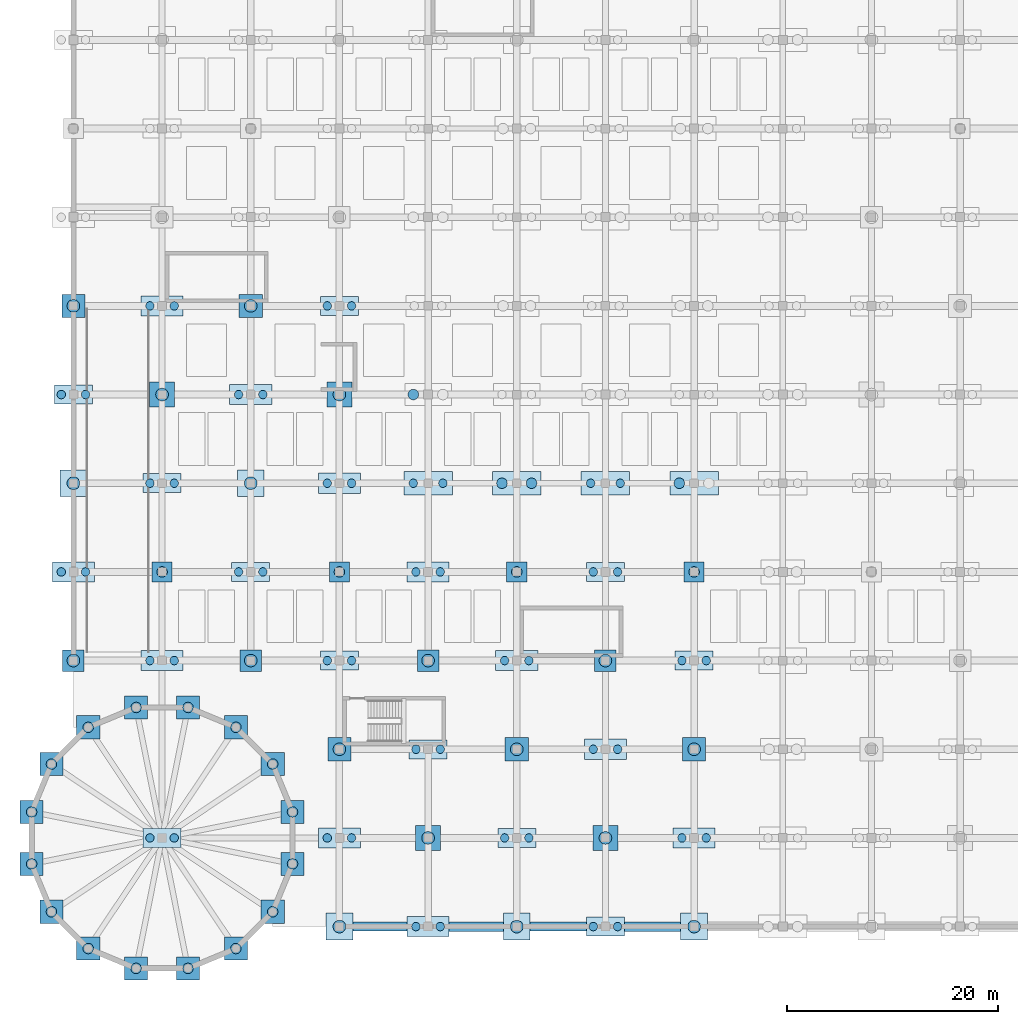
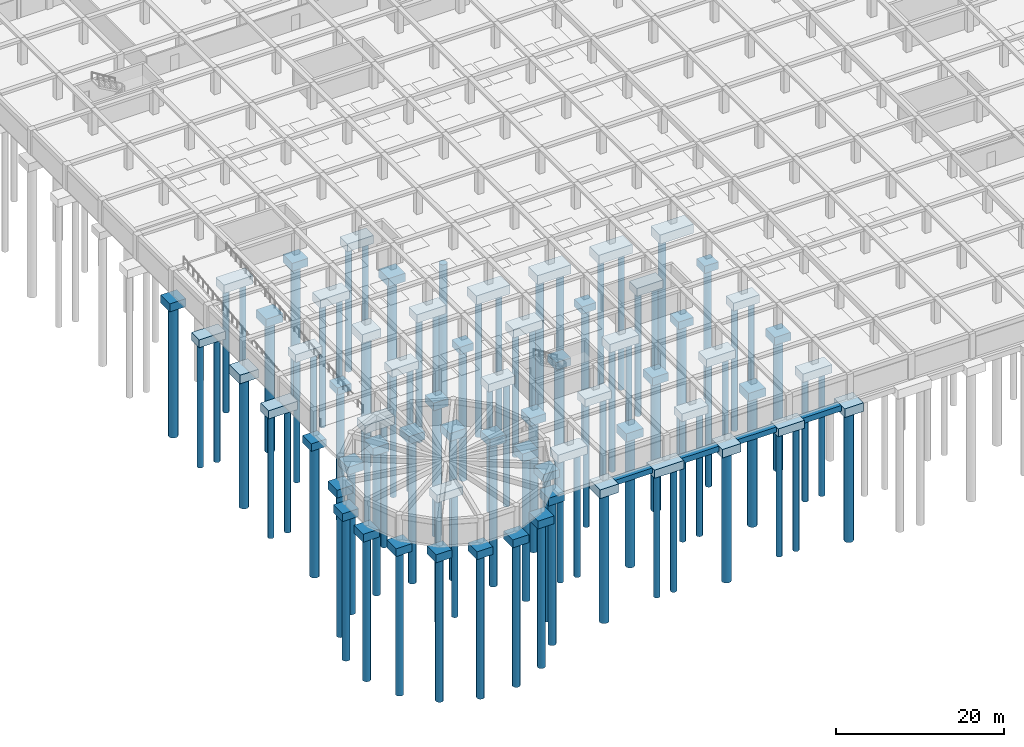
# One storey, part 1 of 47: 90 piles, 68 footings.
"""IFC4 building model written with IfcOpenShell, lengths in metres."""

from ifc_helpers import new_model, si_unit, direction, frame, origin, origin_2d, place, context, subcontext, project, spatial, rectangle, circle, extrude, material, layer, layer_set, material_profile, profile_set, type_object, element, save


model = new_model("IFC4")

# Units and contexts
model_context = context("Model", 3, precision=1e-05, world=origin(), true_north=direction((0.0, 1.0)))
body_context = subcontext(model_context, "Body", "Model", "MODEL_VIEW")
ifc_project = project(units=[si_unit("LENGTHUNIT", "METRE"), si_unit("AREAUNIT", "SQUARE_METRE"), si_unit("VOLUMEUNIT", "CUBIC_METRE"), si_unit("PLANEANGLEUNIT", "RADIAN"), si_unit("MASSUNIT", "GRAM", prefix="KILO")], contexts=[model_context])

# Site, building, storey
site_placement = place(None, origin())
site = spatial("IfcSite", under=ifc_project, at=site_placement, CompositionType="ELEMENT")
building_placement = place(site_placement, origin())
building = spatial("IfcBuilding", under=site, at=building_placement, Name="Almacenes y Pasaje Nevantli", CompositionType="ELEMENT")
storey_placement = place(building_placement, frame((0.0, 0.0, -8.10009765625)))
storey = spatial("IfcBuildingStorey", under=building, at=storey_placement, Name="B02", CompositionType="ELEMENT", Elevation=-8.10009765625)

# Footings
ifc_material_1 = material(Name="Concrete C45/55", Category="concrete")
ifc_layer_1 = layer(ifc_material_1, 1.300048828125)
ifc_layer_set_1 = layer_set([ifc_layer_1], Name="Concrete C45/55")
footing_type_1 = type_object("IfcFootingType", Name="FT-PC-06", PredefinedType="PILE_CAP", material=ifc_layer_set_1)
for number, where, z_axis, x_axis, name in (
    (1, (33.60009765625, 42.0, -1.7998046875), (0.0, 0.0, 1.0), (1.0, 0.0, 0.0), "Reinforced Concrete Pile Cap PC-06 #58"),
    (2, (42.0, 42.0, -1.7998046875), (0.0, 0.0, 1.0), (1.0, 0.0, 0.0), "Reinforced Concrete Pile Cap PC-06 #73"),
    (3, (50.39990234375, 42.0, -1.7998046875), (0.0, 0.0, 1.0), (1.0, 0.0, 0.0), "Reinforced Concrete Pile Cap PC-06 #88"),
    (4, (58.800048828125, 42.0, -1.7998046875), (0.0, 0.0, 1.0), (1.0, 0.0, 0.0), "Reinforced Concrete Pile Cap PC-06 #103"),
):
    element("IfcFooting", number, at=place(storey_placement, frame(where, z_axis=z_axis, x_axis=x_axis)), inside=storey, type_object=footing_type_1, Name=name, PredefinedType="PILE_CAP", context=body_context, shape_type="SweptSolid", body=[
        extrude(rectangle(XDim=4.60009765625, YDim=2.199951171875, at=origin_2d()), origin(), (0.0, 0.0, 1.0), 1.300048828125),
    ])
ifc_material_2 = material(Name="Concrete C45/55", Category="concrete")
ifc_layer_2 = layer(ifc_material_2, 1.199951171875)
ifc_layer_set_2 = layer_set([ifc_layer_2], Name="Concrete C45/55")
footing_type_2 = type_object("IfcFootingType", Name="FT-PC-09", PredefinedType="PILE_CAP", material=ifc_layer_set_2)
for number, where, z_axis, x_axis, name in (
    (5, (0.0, 33.60009765625, -1.69970703125), (0.0, 0.0, 1.0), (1.0, 0.0, 0.0), "Reinforced Concrete Pile Cap PC-09 #2"),
    (6, (8.39990234375, 25.199951171875, -1.69970703125), (0.0, 0.0, 1.0), (1.0, 0.0, 0.0), "Reinforced Concrete Pile Cap PC-09 #14"),
    (7, (8.39990234375, 58.800048828125, -1.69970703125), (0.0, 0.0, 1.0), (1.0, 0.0, 0.0), "Reinforced Concrete Pile Cap PC-09 #18"),
    (8, (16.800048828125, 50.39990234375, -1.69970703125), (0.0, 0.0, 1.0), (1.0, 0.0, 0.0), "Reinforced Concrete Pile Cap PC-09 #29"),
    (9, (25.199951171875, 8.39990234375, -1.69970703125), (0.0, 0.0, 1.0), (1.0, 0.0, 0.0), "Reinforced Concrete Pile Cap PC-09 #39"),
    (10, (25.199951171875, 42.0, -1.69970703125), (0.0, 0.0, 1.0), (1.0, 0.0, 0.0), "Reinforced Concrete Pile Cap PC-09 #43"),
    (11, (33.60009765625, 0.0, -1.69970703125), (0.0, 0.0, 1.0), (1.0, 0.0, 0.0), "Reinforced Concrete Pile Cap PC-09 #53"),
    (12, (33.60009765625, 33.60009765625, -1.69970703125), (0.0, 0.0, 1.0), (1.0, 0.0, 0.0), "Reinforced Concrete Pile Cap PC-09 #57"),
    (13, (42.0, 25.199951171875, -1.69970703125), (0.0, 0.0, 1.0), (1.0, 0.0, 0.0), "Reinforced Concrete Pile Cap PC-09 #71"),
    (14, (50.39990234375, 16.800048828125, -1.69970703125), (0.0, 0.0, 1.0), (1.0, 0.0, 0.0), "Reinforced Concrete Pile Cap PC-09 #85"),
    (15, (58.800048828125, 8.39990234375, -1.69970703125), (0.0, 0.0, 1.0), (1.0, 0.0, 0.0), "Reinforced Concrete Pile Cap PC-09 #99"),
):
    element("IfcFooting", number, at=place(storey_placement, frame(where, z_axis=z_axis, x_axis=x_axis)), inside=storey, type_object=footing_type_2, Name=name, PredefinedType="PILE_CAP", context=body_context, shape_type="SweptSolid", body=[
        extrude(rectangle(XDim=4.0, YDim=1.89990234375, at=origin_2d()), origin(), (0.0, 0.0, 1.0), 1.199951171875),
    ])
ifc_material_3 = material(Name="Concrete C45/55", Category="concrete")
ifc_layer_3 = layer(ifc_material_3, 1.14990234375)
ifc_layer_set_3 = layer_set([ifc_layer_3], Name="Concrete C45/55")
footing_type_3 = type_object("IfcFootingType", Name="FT-PC-11", PredefinedType="PILE_CAP", material=ifc_layer_set_3)
for number, where, z_axis, x_axis, name in (
    (16, (0.0, 50.39990234375, -1.64990234375), (0.0, 0.0, 1.0), (1.0, 0.0, 0.0), "Reinforced Concrete Pile Cap PC-11 #4"),
    (17, (8.39990234375, 8.39990234375, -1.64990234375), (0.0, 0.0, 1.0), (1.0, 0.0, 0.0), "Reinforced Concrete Pile Cap PC-11 #13"),
    (18, (8.39990234375, 42.0, -1.64990234375), (0.0, 0.0, 1.0), (1.0, 0.0, 0.0), "Reinforced Concrete Pile Cap PC-11 #16"),
    (19, (16.800048828125, 33.60009765625, -1.64990234375), (0.0, 0.0, 1.0), (1.0, 0.0, 0.0), "Reinforced Concrete Pile Cap PC-11 #27"),
    (20, (25.199951171875, 25.199951171875, -1.64990234375), (0.0, 0.0, 1.0), (1.0, 0.0, 0.0), "Reinforced Concrete Pile Cap PC-11 #41"),
    (21, (25.199951171875, 58.800048828125, -1.64990234375), (0.0, 0.0, 1.0), (1.0, 0.0, 0.0), "Reinforced Concrete Pile Cap PC-11 #45"),
    (22, (33.60009765625, 16.800048828125, -1.64990234375), (0.0, 0.0, 1.0), (1.0, 0.0, 0.0), "Reinforced Concrete Pile Cap PC-11 #55"),
    (23, (42.0, 8.39990234375, -1.64990234375), (0.0, 0.0, 1.0), (1.0, 0.0, 0.0), "Reinforced Concrete Pile Cap PC-11 #69"),
    (24, (50.39990234375, 0.0, -1.64990234375), (0.0, 0.0, 1.0), (1.0, 0.0, 0.0), "Reinforced Concrete Pile Cap PC-11 #83"),
    (25, (50.39990234375, 33.60009765625, -1.64990234375), (0.0, 0.0, 1.0), (1.0, 0.0, 0.0), "Reinforced Concrete Pile Cap PC-11 #87"),
    (26, (58.800048828125, 25.199951171875, -1.64990234375), (0.0, 0.0, 1.0), (1.0, 0.0, 0.0), "Reinforced Concrete Pile Cap PC-11 #101"),
):
    element("IfcFooting", number, at=place(storey_placement, frame(where, z_axis=z_axis, x_axis=x_axis)), inside=storey, type_object=footing_type_3, Name=name, PredefinedType="PILE_CAP", context=body_context, shape_type="SweptSolid", body=[
        extrude(rectangle(XDim=3.60009765625, YDim=1.800048828125, at=origin_2d()), origin(), (0.0, 0.0, 1.0), 1.14990234375),
    ])
ifc_material_4 = material(Name="Concrete C45/55", Category="concrete")
ifc_layer_4 = layer(ifc_material_4, 1.25)
ifc_layer_set_4 = layer_set([ifc_layer_4], Name="Concrete C45/55")
footing_type_4 = type_object("IfcFootingType", Name="FT-PC-15", PredefinedType="PILE_CAP", material=ifc_layer_set_4)
for number, where, z_axis, x_axis, name in (
    (27, (0.0, 42.0, -1.75), (0.0, 0.0, 1.0), (1.0, 0.0, 0.0), "Reinforced Concrete Pile Cap PC-15 #3"),
    (28, (16.800048828125, 42.0, -1.75), (0.0, 0.0, 1.0), (1.0, 0.0, 0.0), "Reinforced Concrete Pile Cap PC-15 #28"),
    (29, (25.199951171875, 0.0, -1.75), (0.0, 0.0, 1.0), (1.0, 0.0, 0.0), "Reinforced Concrete Pile Cap PC-15 #38"),
    (30, (42.0, 0.0, -1.75), (0.0, 0.0, 1.0), (1.0, 0.0, 0.0), "Reinforced Concrete Pile Cap PC-15 #68"),
    (31, (58.800048828125, 0.0, -1.75), (0.0, 0.0, 1.0), (1.0, 0.0, 0.0), "Reinforced Concrete Pile Cap PC-15 #98"),
):
    element("IfcFooting", number, at=place(storey_placement, frame(where, z_axis=z_axis, x_axis=x_axis)), inside=storey, type_object=footing_type_4, Name=name, PredefinedType="PILE_CAP", context=body_context, shape_type="SweptSolid", body=[
        extrude(rectangle(XDim=2.550048828125, YDim=2.550048828125, at=origin_2d()), origin(), (0.0, 0.0, 1.0), 1.25),
    ])
ifc_material_5 = material(Name="Concrete C45/55", Category="concrete")
ifc_layer_5 = layer(ifc_material_5, 1.199951171875)
ifc_layer_set_5 = layer_set([ifc_layer_5], Name="Concrete C45/55")
footing_type_5 = type_object("IfcFootingType", Name="FT-PC-16", PredefinedType="PILE_CAP", material=ifc_layer_set_5)
for number, where, z_axis, x_axis, name in (
    (32, (8.39990234375, 50.39990234375, -1.69970703125), (0.0, 0.0, 1.0), (1.0, 0.0, 0.0), "Reinforced Concrete Pile Cap PC-16 #17"),
    (33, (25.199951171875, 50.39990234375, -1.69970703125), (0.0, 0.0, 1.0), (1.0, 0.0, 0.0), "Reinforced Concrete Pile Cap PC-16 #44"),
    (34, (33.60009765625, 8.39990234375, -1.69970703125), (0.0, 0.0, 1.0), (1.0, 0.0, 0.0), "Reinforced Concrete Pile Cap PC-16 #54"),
    (35, (50.39990234375, 8.39990234375, -1.69970703125), (0.0, 0.0, 1.0), (1.0, 0.0, 0.0), "Reinforced Concrete Pile Cap PC-16 #84"),
):
    element("IfcFooting", number, at=place(storey_placement, frame(where, z_axis=z_axis, x_axis=x_axis)), inside=storey, type_object=footing_type_5, Name=name, PredefinedType="PILE_CAP", context=body_context, shape_type="SweptSolid", body=[
        extrude(rectangle(XDim=2.35009765625, YDim=2.35009765625, at=origin_2d()), origin(), (0.0, 0.0, 1.0), 1.199951171875),
    ])
ifc_material_6 = material(Name="Concrete C45/55", Category="concrete")
ifc_layer_6 = layer(ifc_material_6, 1.14990234375)
ifc_layer_set_6 = layer_set([ifc_layer_6], Name="Concrete C45/55")
footing_type_6 = type_object("IfcFootingType", Name="FT-PC-17", PredefinedType="PILE_CAP", material=ifc_layer_set_6)
for number, where, z_axis, x_axis, name in (
    (36, (0.0, 58.800048828125, -1.64990234375), (0.0, 0.0, 1.0), (1.0, 0.0, 0.0), "Reinforced Concrete Pile Cap PC-17 #5"),
    (37, (16.800048828125, 58.800048828125, -1.64990234375), (0.0, 0.0, 1.0), (1.0, 0.0, 0.0), "Reinforced Concrete Pile Cap PC-17 #30"),
    (38, (25.199951171875, 16.800048828125, -1.64990234375), (0.0, 0.0, 1.0), (1.0, 0.0, 0.0), "Reinforced Concrete Pile Cap PC-17 #40"),
    (39, (42.0, 16.800048828125, -1.64990234375), (0.0, 0.0, 1.0), (1.0, 0.0, 0.0), "Reinforced Concrete Pile Cap PC-17 #70"),
    (40, (58.800048828125, 16.800048828125, -1.64990234375), (0.0, 0.0, 1.0), (1.0, 0.0, 0.0), "Reinforced Concrete Pile Cap PC-17 #100"),
    (41, (20.7578125, 10.858154296875, -1.64990234375), (0.0, 0.0, 1.0), (1.0, 0.0, 0.0), "Reinforced Concrete Pile Cap PC-17 #308"),
    (42, (18.87646484375, 15.400146484375, -1.64990234375), (0.0, 0.0, 1.0), (1.0, 0.0, 0.0), "Reinforced Concrete Pile Cap PC-17 #309"),
    (43, (15.400146484375, 18.87646484375, -1.64990234375), (0.0, 0.0, 1.0), (1.0, 0.0, 0.0), "Reinforced Concrete Pile Cap PC-17 #310"),
    (44, (10.858154296875, 20.7578125, -1.64990234375), (0.0, 0.0, 1.0), (1.0, 0.0, 0.0), "Reinforced Concrete Pile Cap PC-17 #311"),
    (45, (5.94189453125, 20.7578125, -1.64990234375), (0.0, 0.0, 1.0), (1.0, 0.0, 0.0), "Reinforced Concrete Pile Cap PC-17 #312"),
    (46, (1.39990234375, 18.87646484375, -1.64990234375), (0.0, 0.0, 1.0), (1.0, 0.0, 0.0), "Reinforced Concrete Pile Cap PC-17 #313"),
    (47, (-2.076416015625, 15.400146484375, -1.64990234375), (0.0, 0.0, 1.0), (1.0, 0.0, 0.0), "Reinforced Concrete Pile Cap PC-17 #314"),
    (48, (-3.9580078125, 10.858154296875, -1.64990234375), (0.0, 0.0, 1.0), (1.0, 0.0, 0.0), "Reinforced Concrete Pile Cap PC-17 #315"),
    (49, (-3.9580078125, 5.94189453125, -1.64990234375), (0.0, 0.0, 1.0), (1.0, 0.0, 0.0), "Reinforced Concrete Pile Cap PC-17 #316"),
    (50, (-2.076416015625, 1.39990234375, -1.64990234375), (0.0, 0.0, 1.0), (1.0, 0.0, 0.0), "Reinforced Concrete Pile Cap PC-17 #317"),
    (51, (1.39990234375, -2.076416015625, -1.64990234375), (0.0, 0.0, 1.0), (1.0, 0.0, 0.0), "Reinforced Concrete Pile Cap PC-17 #318"),
    (52, (5.94189453125, -3.9580078125, -1.64990234375), (0.0, 0.0, 1.0), (1.0, 0.0, 0.0), "Reinforced Concrete Pile Cap PC-17 #319"),
    (53, (10.858154296875, -3.9580078125, -1.64990234375), (0.0, 0.0, 1.0), (1.0, 0.0, 0.0), "Reinforced Concrete Pile Cap PC-17 #320"),
    (54, (15.400146484375, -2.076416015625, -1.64990234375), (0.0, 0.0, 1.0), (1.0, 0.0, 0.0), "Reinforced Concrete Pile Cap PC-17 #321"),
    (55, (18.87646484375, 1.39990234375, -1.64990234375), (0.0, 0.0, 1.0), (1.0, 0.0, 0.0), "Reinforced Concrete Pile Cap PC-17 #322"),
    (56, (20.7578125, 5.94189453125, -1.64990234375), (0.0, 0.0, 1.0), (1.0, 0.0, 0.0), "Reinforced Concrete Pile Cap PC-17 #323"),
):
    element("IfcFooting", number, at=place(storey_placement, frame(where, z_axis=z_axis, x_axis=x_axis)), inside=storey, type_object=footing_type_6, Name=name, PredefinedType="PILE_CAP", context=body_context, shape_type="SweptSolid", body=[
        extrude(rectangle(XDim=2.199951171875, YDim=2.199951171875, at=origin_2d()), origin(), (0.0, 0.0, 1.0), 1.14990234375),
    ])
ifc_material_7 = material(Name="Concrete C45/55", Category="concrete")
ifc_layer_7 = layer(ifc_material_7, 1.10009765625)
ifc_layer_set_7 = layer_set([ifc_layer_7], Name="Concrete C45/55")
footing_type_7 = type_object("IfcFootingType", Name="FT-PC-18", PredefinedType="PILE_CAP", material=ifc_layer_set_7)
for number, where, z_axis, x_axis, name in (
    (57, (0.0, 25.199951171875, -1.599853515625), (0.0, 0.0, 1.0), (1.0, 0.0, 0.0), "Reinforced Concrete Pile Cap PC-18 #1"),
    (58, (16.800048828125, 25.199951171875, -1.599853515625), (0.0, 0.0, 1.0), (1.0, 0.0, 0.0), "Reinforced Concrete Pile Cap PC-18 #26"),
    (59, (33.60009765625, 25.199951171875, -1.599853515625), (0.0, 0.0, 1.0), (1.0, 0.0, 0.0), "Reinforced Concrete Pile Cap PC-18 #56"),
    (60, (50.39990234375, 25.199951171875, -1.599853515625), (0.0, 0.0, 1.0), (1.0, 0.0, 0.0), "Reinforced Concrete Pile Cap PC-18 #86"),
):
    element("IfcFooting", number, at=place(storey_placement, frame(where, z_axis=z_axis, x_axis=x_axis)), inside=storey, type_object=footing_type_7, Name=name, PredefinedType="PILE_CAP", context=body_context, shape_type="SweptSolid", body=[
        extrude(rectangle(XDim=2.050048828125, YDim=2.050048828125, at=origin_2d()), origin(), (0.0, 0.0, 1.0), 1.10009765625),
    ])
ifc_material_8 = material(Name="Concrete C45/55", Category="concrete")
ifc_layer_8 = layer(ifc_material_8, 1.050048828125)
ifc_layer_set_8 = layer_set([ifc_layer_8], Name="Concrete C45/55")
footing_type_8 = type_object("IfcFootingType", Name="FT-PC-19", PredefinedType="PILE_CAP", material=ifc_layer_set_8)
for number, where, z_axis, x_axis, name in (
    (61, (8.39990234375, 33.60009765625, -1.5498046875), (0.0, 0.0, 1.0), (1.0, 0.0, 0.0), "Reinforced Concrete Pile Cap PC-19 #15"),
    (62, (25.199951171875, 33.60009765625, -1.5498046875), (0.0, 0.0, 1.0), (1.0, 0.0, 0.0), "Reinforced Concrete Pile Cap PC-19 #42"),
    (63, (42.0, 33.60009765625, -1.5498046875), (0.0, 0.0, 1.0), (1.0, 0.0, 0.0), "Reinforced Concrete Pile Cap PC-19 #72"),
    (64, (58.800048828125, 33.60009765625, -1.5498046875), (0.0, 0.0, 1.0), (1.0, 0.0, 0.0), "Reinforced Concrete Pile Cap PC-19 #102"),
):
    element("IfcFooting", number, at=place(storey_placement, frame(where, z_axis=z_axis, x_axis=x_axis)), inside=storey, type_object=footing_type_8, Name=name, PredefinedType="PILE_CAP", context=body_context, shape_type="SweptSolid", body=[
        extrude(rectangle(XDim=1.89990234375, YDim=1.89990234375, at=origin_2d()), origin(), (0.0, 0.0, 1.0), 1.050048828125),
    ])
ifc_material_9 = material(Name="Concrete C45/55", Category="concrete")
ifc_layer_9 = layer(ifc_material_9, 0.800048828125)
ifc_layer_set_9 = layer_set([ifc_layer_9], Name="Concrete C45/55")
footing_type_9 = type_object("IfcFootingType", Name="FT-SF-01", PredefinedType="STRIP_FOOTING", material=ifc_layer_set_9)
footing_1_placement = place(storey_placement, frame((38.16259765625, 0.0, -1.2998046875), z_axis=(0.0, 0.0, 1.0), x_axis=(1.0, 0.0, 0.0)))
element("IfcFooting", 65, at=footing_1_placement, inside=storey, type_object=footing_type_9, Name="Continuous Perimeter Strip Footing #21", PredefinedType="STRIP_FOOTING", context=body_context, shape_type="SweptSolid", body=[
    extrude(rectangle(XDim=5.125, YDim=0.89990234375, at=origin_2d()), origin(), (0.0, 0.0, 1.0), 0.800048828125),
])
footing_2_placement = place(storey_placement, frame((54.862548828125, 0.0, -1.2998046875), z_axis=(0.0, 0.0, 1.0), x_axis=(1.0, 0.0, 0.0)))
element("IfcFooting", 66, at=footing_2_placement, inside=storey, type_object=footing_type_9, Name="Continuous Perimeter Strip Footing #23", PredefinedType="STRIP_FOOTING", context=body_context, shape_type="SweptSolid", body=[
    extrude(rectangle(XDim=5.324951171875, YDim=0.89990234375, at=origin_2d()), origin(), (0.0, 0.0, 1.0), 0.800048828125),
])
ifc_material_10 = material(Name="Concrete C45/55", Category="concrete")
ifc_layer_10 = layer(ifc_material_10, 0.75)
ifc_layer_set_10 = layer_set([ifc_layer_10], Name="Concrete C45/55")
footing_type_10 = type_object("IfcFootingType", Name="FT-SF-02", PredefinedType="STRIP_FOOTING", material=ifc_layer_set_10)
footing_3_placement = place(storey_placement, frame((29.03759765625, 0.0, -1.25), z_axis=(0.0, 0.0, 1.0), x_axis=(1.0, 0.0, 0.0)))
element("IfcFooting", 67, at=footing_3_placement, inside=storey, type_object=footing_type_10, Name="Continuous Perimeter Strip Footing #20", PredefinedType="STRIP_FOOTING", context=body_context, shape_type="SweptSolid", body=[
    extrude(rectangle(XDim=5.125, YDim=0.85009765625, at=origin_2d()), origin(), (0.0, 0.0, 1.0), 0.75),
])
footing_4_placement = place(storey_placement, frame((45.9375, 0.0, -1.25), z_axis=(0.0, 0.0, 1.0), x_axis=(1.0, 0.0, 0.0)))
element("IfcFooting", 68, at=footing_4_placement, inside=storey, type_object=footing_type_10, Name="Continuous Perimeter Strip Footing #22", PredefinedType="STRIP_FOOTING", context=body_context, shape_type="SweptSolid", body=[
    extrude(rectangle(XDim=5.324951171875, YDim=0.85009765625, at=origin_2d()), origin(), (0.0, 0.0, 1.0), 0.75),
])

# Piles
ifc_material_11 = material(Name="Concrete C45/55", Category="concrete")
ifc_material_profile_1 = material_profile(ifc_material_11, circle(Radius=0.5, at=origin_2d()), Name="RC-PILE-D1000")
ifc_profile_set_1 = profile_set([ifc_material_profile_1], Name="Concrete C45/55")
pile_type_1 = type_object("IfcPileType", Name="PL-BORED-1000", PredefinedType="BORED", material=ifc_profile_set_1)
for number, where, z_axis, x_axis, name in (
    (69, (8.39990234375, 33.60009765625, -1.5), (0.0, 0.0, -1.0), (1.0, 0.0, 0.0), "Bored Pile PL-1000 #23"),
    (70, (25.199951171875, 33.60009765625, -1.5), (0.0, 0.0, -1.0), (1.0, 0.0, 0.0), "Bored Pile PL-1000 #63"),
):
    element("IfcPile", number, at=place(storey_placement, frame(where, z_axis=z_axis, x_axis=x_axis)), inside=storey, type_object=pile_type_1, Name=name, PredefinedType="BORED", context=body_context, shape_type="SweptSolid", body=[
        extrude(circle(Radius=0.5, at=origin_2d()), origin(), (0.0, 0.0, 1.0), 19.0),
    ])
pile_1_placement = place(storey_placement, frame((32.199951171875, 50.39990234375, -1.699951171875), z_axis=(0.0, 0.0, -1.0), x_axis=(1.0, 0.0, 0.0)))
element("IfcPile", 71, at=pile_1_placement, inside=storey, type_object=pile_type_1, Name="Bored Pile PL-1000 #89", PredefinedType="BORED", context=body_context, shape_type="SweptSolid", body=[
    extrude(circle(Radius=0.5, at=origin_2d()), origin(), (0.0, 0.0, 1.0), 20.0),
])
pile_2_placement = place(storey_placement, frame((42.0, 33.60009765625, -1.5), z_axis=(0.0, 0.0, -1.0), x_axis=(1.0, 0.0, 0.0)))
element("IfcPile", 72, at=pile_2_placement, inside=storey, type_object=pile_type_1, Name="Bored Pile PL-1000 #111", PredefinedType="BORED", context=body_context, shape_type="SweptSolid", body=[
    extrude(circle(Radius=0.5, at=origin_2d()), origin(), (0.0, 0.0, 1.0), 19.0),
])
for number, where, z_axis, x_axis, name in (
    (73, (40.60009765625, 42.0, -1.75), (0.0, 0.0, -1.0), (1.0, 0.0, 0.0), "Bored Pile PL-1000 #112"),
    (74, (43.39990234375, 42.0, -1.75), (0.0, 0.0, -1.0), (1.0, 0.0, 0.0), "Bored Pile PL-1000 #113"),
):
    element("IfcPile", number, at=place(storey_placement, frame(where, z_axis=z_axis, x_axis=x_axis)), inside=storey, type_object=pile_type_1, Name=name, PredefinedType="BORED", context=body_context, shape_type="SweptSolid", body=[
        extrude(circle(Radius=0.5, at=origin_2d()), origin(), (0.0, 0.0, 1.0), 20.0),
    ])
pile_3_placement = place(storey_placement, frame((58.800048828125, 33.60009765625, -1.5), z_axis=(0.0, 0.0, -1.0), x_axis=(1.0, 0.0, 0.0)))
element("IfcPile", 75, at=pile_3_placement, inside=storey, type_object=pile_type_1, Name="Bored Pile PL-1000 #161", PredefinedType="BORED", context=body_context, shape_type="SweptSolid", body=[
    extrude(circle(Radius=0.5, at=origin_2d()), origin(), (0.0, 0.0, 1.0), 19.0),
])
pile_4_placement = place(storey_placement, frame((57.39990234375, 42.0, -1.75), z_axis=(0.0, 0.0, -1.0), x_axis=(1.0, 0.0, 0.0)))
element("IfcPile", 76, at=pile_4_placement, inside=storey, type_object=pile_type_1, Name="Bored Pile PL-1000 #162", PredefinedType="BORED", context=body_context, shape_type="SweptSolid", body=[
    extrude(circle(Radius=0.5, at=origin_2d()), origin(), (0.0, 0.0, 1.0), 20.0),
])
for number, where, z_axis, x_axis, name in (
    (77, (20.7578125, 10.858154296875, -1.599853515625), (0.0, 0.0, -1.0), (1.0, 0.0, 0.0), "Bored Pile PL-1000 #606"),
    (78, (18.87646484375, 15.400146484375, -1.599853515625), (0.0, 0.0, -1.0), (1.0, 0.0, 0.0), "Bored Pile PL-1000 #607"),
    (79, (15.400146484375, 18.87646484375, -1.599853515625), (0.0, 0.0, -1.0), (1.0, 0.0, 0.0), "Bored Pile PL-1000 #608"),
    (80, (10.858154296875, 20.7578125, -1.599853515625), (0.0, 0.0, -1.0), (1.0, 0.0, 0.0), "Bored Pile PL-1000 #609"),
    (81, (5.94189453125, 20.7578125, -1.599853515625), (0.0, 0.0, -1.0), (1.0, 0.0, 0.0), "Bored Pile PL-1000 #610"),
    (82, (1.39990234375, 18.87646484375, -1.599853515625), (0.0, 0.0, -1.0), (1.0, 0.0, 0.0), "Bored Pile PL-1000 #611"),
    (83, (-2.076416015625, 15.400146484375, -1.599853515625), (0.0, 0.0, -1.0), (1.0, 0.0, 0.0), "Bored Pile PL-1000 #612"),
    (84, (-3.9580078125, 10.858154296875, -1.599853515625), (0.0, 0.0, -1.0), (1.0, 0.0, 0.0), "Bored Pile PL-1000 #613"),
    (85, (-3.9580078125, 5.94189453125, -1.599853515625), (0.0, 0.0, -1.0), (1.0, 0.0, 0.0), "Bored Pile PL-1000 #614"),
    (86, (-2.076416015625, 1.39990234375, -1.599853515625), (0.0, 0.0, -1.0), (1.0, 0.0, 0.0), "Bored Pile PL-1000 #615"),
    (87, (1.39990234375, -2.076416015625, -1.599853515625), (0.0, 0.0, -1.0), (1.0, 0.0, 0.0), "Bored Pile PL-1000 #616"),
    (88, (5.94189453125, -3.9580078125, -1.599853515625), (0.0, 0.0, -1.0), (1.0, 0.0, 0.0), "Bored Pile PL-1000 #617"),
    (89, (10.858154296875, -3.9580078125, -1.599853515625), (0.0, 0.0, -1.0), (1.0, 0.0, 0.0), "Bored Pile PL-1000 #618"),
    (90, (15.400146484375, -2.076416015625, -1.599853515625), (0.0, 0.0, -1.0), (1.0, 0.0, 0.0), "Bored Pile PL-1000 #619"),
    (91, (18.87646484375, 1.39990234375, -1.599853515625), (0.0, 0.0, -1.0), (1.0, 0.0, 0.0), "Bored Pile PL-1000 #620"),
    (92, (20.7578125, 5.94189453125, -1.599853515625), (0.0, 0.0, -1.0), (1.0, 0.0, 0.0), "Bored Pile PL-1000 #621"),
):
    element("IfcPile", number, at=place(storey_placement, frame(where, z_axis=z_axis, x_axis=x_axis)), inside=storey, type_object=pile_type_1, Name=name, PredefinedType="BORED", context=body_context, shape_type="SweptSolid", body=[
        extrude(circle(Radius=0.5, at=origin_2d()), origin(), (0.0, 0.0, 1.0), 21.0),
    ])
ifc_material_12 = material(Name="Concrete C45/55", Category="concrete")
ifc_material_profile_2 = material_profile(ifc_material_12, circle(Radius=0.60009765625, at=origin_2d()), Name="RC-PILE-D1200")
ifc_profile_set_2 = profile_set([ifc_material_profile_2], Name="Concrete C45/55")
pile_type_2 = type_object("IfcPileType", Name="PL-BORED-1200", PredefinedType="BORED", material=ifc_profile_set_2)
for number, where, z_axis, x_axis, name in (
    (93, (0.0, 25.199951171875, -1.5498046875), (0.0, 0.0, -1.0), (1.0, 0.0, 0.0), "Bored Pile PL-1200 #1"),
    (94, (0.0, 42.0, -1.699951171875), (0.0, 0.0, -1.0), (1.0, 0.0, 0.0), "Bored Pile PL-1200 #4"),
    (95, (0.0, 58.800048828125, -1.599853515625), (0.0, 0.0, -1.0), (1.0, 0.0, 0.0), "Bored Pile PL-1200 #7"),
    (96, (8.39990234375, 50.39990234375, -1.64990234375), (0.0, 0.0, -1.0), (1.0, 0.0, 0.0), "Bored Pile PL-1200 #26"),
    (97, (16.800048828125, 25.199951171875, -1.5498046875), (0.0, 0.0, -1.0), (1.0, 0.0, 0.0), "Bored Pile PL-1200 #39"),
    (98, (16.800048828125, 42.0, -1.699951171875), (0.0, 0.0, -1.0), (1.0, 0.0, 0.0), "Bored Pile PL-1200 #42"),
    (99, (16.800048828125, 58.800048828125, -1.599853515625), (0.0, 0.0, -1.0), (1.0, 0.0, 0.0), "Bored Pile PL-1200 #45"),
    (100, (25.199951171875, 0.0, -1.699951171875), (0.0, 0.0, -1.0), (1.0, 0.0, 0.0), "Bored Pile PL-1200 #57"),
    (101, (25.199951171875, 16.800048828125, -1.599853515625), (0.0, 0.0, -1.0), (1.0, 0.0, 0.0), "Bored Pile PL-1200 #60"),
    (102, (25.199951171875, 50.39990234375, -1.64990234375), (0.0, 0.0, -1.0), (1.0, 0.0, 0.0), "Bored Pile PL-1200 #66"),
    (103, (33.60009765625, 8.39990234375, -1.64990234375), (0.0, 0.0, -1.0), (1.0, 0.0, 0.0), "Bored Pile PL-1200 #81"),
    (104, (33.60009765625, 25.199951171875, -1.5498046875), (0.0, 0.0, -1.0), (1.0, 0.0, 0.0), "Bored Pile PL-1200 #84"),
    (105, (42.0, 0.0, -1.699951171875), (0.0, 0.0, -1.0), (1.0, 0.0, 0.0), "Bored Pile PL-1200 #105"),
    (106, (42.0, 16.800048828125, -1.599853515625), (0.0, 0.0, -1.0), (1.0, 0.0, 0.0), "Bored Pile PL-1200 #108"),
    (107, (50.39990234375, 8.39990234375, -1.64990234375), (0.0, 0.0, -1.0), (1.0, 0.0, 0.0), "Bored Pile PL-1200 #131"),
    (108, (50.39990234375, 25.199951171875, -1.5498046875), (0.0, 0.0, -1.0), (1.0, 0.0, 0.0), "Bored Pile PL-1200 #134"),
    (109, (58.800048828125, 0.0, -1.699951171875), (0.0, 0.0, -1.0), (1.0, 0.0, 0.0), "Bored Pile PL-1200 #155"),
    (110, (58.800048828125, 16.800048828125, -1.599853515625), (0.0, 0.0, -1.0), (1.0, 0.0, 0.0), "Bored Pile PL-1200 #158"),
):
    element("IfcPile", number, at=place(storey_placement, frame(where, z_axis=z_axis, x_axis=x_axis)), inside=storey, type_object=pile_type_2, Name=name, PredefinedType="BORED", context=body_context, shape_type="SweptSolid", body=[
        extrude(circle(Radius=0.60009765625, at=origin_2d()), origin(), (0.0, 0.0, 1.0), 19.0),
    ])
ifc_material_13 = material(Name="Concrete C45/55", Category="concrete")
ifc_material_profile_3 = material_profile(ifc_material_13, circle(Radius=0.39990234375, at=origin_2d()), Name="RC-PILE-D800")
ifc_profile_set_3 = profile_set([ifc_material_profile_3], Name="Concrete C45/55")
pile_type_3 = type_object("IfcPileType", Name="PL-BORED-800", PredefinedType="BORED", material=ifc_profile_set_3)
for number, where, z_axis, x_axis, name in (
    (111, (-1.14990234375, 33.60009765625, -1.64990234375), (0.0, 0.0, -1.0), (1.0, 0.0, 0.0), "Bored Pile PL-800 #2"),
    (112, (1.14990234375, 33.60009765625, -1.64990234375), (0.0, 0.0, -1.0), (1.0, 0.0, 0.0), "Bored Pile PL-800 #3"),
    (113, (-1.14990234375, 50.39990234375, -1.599853515625), (0.0, 0.0, -1.0), (1.0, 0.0, 0.0), "Bored Pile PL-800 #5"),
    (114, (1.14990234375, 50.39990234375, -1.599853515625), (0.0, 0.0, -1.0), (1.0, 0.0, 0.0), "Bored Pile PL-800 #6"),
    (115, (7.25, 8.39990234375, -1.599853515625), (0.0, 0.0, -1.0), (1.0, 0.0, 0.0), "Bored Pile PL-800 #19"),
    (116, (9.550048828125, 8.39990234375, -1.599853515625), (0.0, 0.0, -1.0), (1.0, 0.0, 0.0), "Bored Pile PL-800 #20"),
    (117, (7.25, 25.199951171875, -1.64990234375), (0.0, 0.0, -1.0), (1.0, 0.0, 0.0), "Bored Pile PL-800 #21"),
    (118, (9.550048828125, 25.199951171875, -1.64990234375), (0.0, 0.0, -1.0), (1.0, 0.0, 0.0), "Bored Pile PL-800 #22"),
    (119, (7.25, 42.0, -1.599853515625), (0.0, 0.0, -1.0), (1.0, 0.0, 0.0), "Bored Pile PL-800 #24"),
    (120, (9.550048828125, 42.0, -1.599853515625), (0.0, 0.0, -1.0), (1.0, 0.0, 0.0), "Bored Pile PL-800 #25"),
    (121, (7.25, 58.800048828125, -1.64990234375), (0.0, 0.0, -1.0), (1.0, 0.0, 0.0), "Bored Pile PL-800 #27"),
    (122, (9.550048828125, 58.800048828125, -1.64990234375), (0.0, 0.0, -1.0), (1.0, 0.0, 0.0), "Bored Pile PL-800 #28"),
    (123, (15.64990234375, 33.60009765625, -1.599853515625), (0.0, 0.0, -1.0), (1.0, 0.0, 0.0), "Bored Pile PL-800 #40"),
    (124, (17.949951171875, 33.60009765625, -1.599853515625), (0.0, 0.0, -1.0), (1.0, 0.0, 0.0), "Bored Pile PL-800 #41"),
    (125, (15.64990234375, 50.39990234375, -1.64990234375), (0.0, 0.0, -1.0), (1.0, 0.0, 0.0), "Bored Pile PL-800 #43"),
    (126, (17.949951171875, 50.39990234375, -1.64990234375), (0.0, 0.0, -1.0), (1.0, 0.0, 0.0), "Bored Pile PL-800 #44"),
    (127, (24.050048828125, 8.39990234375, -1.64990234375), (0.0, 0.0, -1.0), (1.0, 0.0, 0.0), "Bored Pile PL-800 #58"),
    (128, (26.35009765625, 8.39990234375, -1.64990234375), (0.0, 0.0, -1.0), (1.0, 0.0, 0.0), "Bored Pile PL-800 #59"),
    (129, (24.050048828125, 25.199951171875, -1.599853515625), (0.0, 0.0, -1.0), (1.0, 0.0, 0.0), "Bored Pile PL-800 #61"),
    (130, (26.35009765625, 25.199951171875, -1.599853515625), (0.0, 0.0, -1.0), (1.0, 0.0, 0.0), "Bored Pile PL-800 #62"),
    (131, (24.050048828125, 42.0, -1.64990234375), (0.0, 0.0, -1.0), (1.0, 0.0, 0.0), "Bored Pile PL-800 #64"),
    (132, (26.35009765625, 42.0, -1.64990234375), (0.0, 0.0, -1.0), (1.0, 0.0, 0.0), "Bored Pile PL-800 #65"),
    (133, (24.050048828125, 58.800048828125, -1.599853515625), (0.0, 0.0, -1.0), (1.0, 0.0, 0.0), "Bored Pile PL-800 #67"),
    (134, (26.35009765625, 58.800048828125, -1.599853515625), (0.0, 0.0, -1.0), (1.0, 0.0, 0.0), "Bored Pile PL-800 #68"),
    (135, (32.449951171875, 0.0, -1.64990234375), (0.0, 0.0, -1.0), (1.0, 0.0, 0.0), "Bored Pile PL-800 #79"),
    (136, (34.75, 0.0, -1.64990234375), (0.0, 0.0, -1.0), (1.0, 0.0, 0.0), "Bored Pile PL-800 #80"),
    (137, (32.449951171875, 16.800048828125, -1.599853515625), (0.0, 0.0, -1.0), (1.0, 0.0, 0.0), "Bored Pile PL-800 #82"),
    (138, (34.75, 16.800048828125, -1.599853515625), (0.0, 0.0, -1.0), (1.0, 0.0, 0.0), "Bored Pile PL-800 #83"),
    (139, (32.449951171875, 33.60009765625, -1.64990234375), (0.0, 0.0, -1.0), (1.0, 0.0, 0.0), "Bored Pile PL-800 #85"),
    (140, (34.75, 33.60009765625, -1.64990234375), (0.0, 0.0, -1.0), (1.0, 0.0, 0.0), "Bored Pile PL-800 #86"),
):
    element("IfcPile", number, at=place(storey_placement, frame(where, z_axis=z_axis, x_axis=x_axis)), inside=storey, type_object=pile_type_3, Name=name, PredefinedType="BORED", context=body_context, shape_type="SweptSolid", body=[
        extrude(circle(Radius=0.39990234375, at=origin_2d()), origin(), (0.0, 0.0, 1.0), 18.0),
    ])
for number, where, z_axis, x_axis, name in (
    (141, (32.199951171875, 42.0, -1.75), (0.0, 0.0, -1.0), (1.0, 0.0, 0.0), "Bored Pile PL-800 #87"),
    (142, (35.0, 42.0, -1.75), (0.0, 0.0, -1.0), (1.0, 0.0, 0.0), "Bored Pile PL-800 #88"),
):
    element("IfcPile", number, at=place(storey_placement, frame(where, z_axis=z_axis, x_axis=x_axis)), inside=storey, type_object=pile_type_3, Name=name, PredefinedType="BORED", context=body_context, shape_type="SweptSolid", body=[
        extrude(circle(Radius=0.39990234375, at=origin_2d()), origin(), (0.0, 0.0, 1.0), 20.0),
    ])
for number, where, z_axis, x_axis, name in (
    (143, (40.85009765625, 8.39990234375, -1.599853515625), (0.0, 0.0, -1.0), (1.0, 0.0, 0.0), "Bored Pile PL-800 #106"),
    (144, (43.14990234375, 8.39990234375, -1.599853515625), (0.0, 0.0, -1.0), (1.0, 0.0, 0.0), "Bored Pile PL-800 #107"),
    (145, (40.85009765625, 25.199951171875, -1.64990234375), (0.0, 0.0, -1.0), (1.0, 0.0, 0.0), "Bored Pile PL-800 #109"),
    (146, (43.14990234375, 25.199951171875, -1.64990234375), (0.0, 0.0, -1.0), (1.0, 0.0, 0.0), "Bored Pile PL-800 #110"),
    (147, (49.25, 0.0, -1.599853515625), (0.0, 0.0, -1.0), (1.0, 0.0, 0.0), "Bored Pile PL-800 #129"),
    (148, (51.550048828125, 0.0, -1.599853515625), (0.0, 0.0, -1.0), (1.0, 0.0, 0.0), "Bored Pile PL-800 #130"),
    (149, (49.25, 16.800048828125, -1.64990234375), (0.0, 0.0, -1.0), (1.0, 0.0, 0.0), "Bored Pile PL-800 #132"),
    (150, (51.550048828125, 16.800048828125, -1.64990234375), (0.0, 0.0, -1.0), (1.0, 0.0, 0.0), "Bored Pile PL-800 #133"),
    (151, (49.25, 33.60009765625, -1.599853515625), (0.0, 0.0, -1.0), (1.0, 0.0, 0.0), "Bored Pile PL-800 #135"),
    (152, (51.550048828125, 33.60009765625, -1.599853515625), (0.0, 0.0, -1.0), (1.0, 0.0, 0.0), "Bored Pile PL-800 #136"),
):
    element("IfcPile", number, at=place(storey_placement, frame(where, z_axis=z_axis, x_axis=x_axis)), inside=storey, type_object=pile_type_3, Name=name, PredefinedType="BORED", context=body_context, shape_type="SweptSolid", body=[
        extrude(circle(Radius=0.39990234375, at=origin_2d()), origin(), (0.0, 0.0, 1.0), 18.0),
    ])
for number, where, z_axis, x_axis, name in (
    (153, (49.0, 42.0, -1.75), (0.0, 0.0, -1.0), (1.0, 0.0, 0.0), "Bored Pile PL-800 #137"),
    (154, (51.800048828125, 42.0, -1.75), (0.0, 0.0, -1.0), (1.0, 0.0, 0.0), "Bored Pile PL-800 #138"),
):
    element("IfcPile", number, at=place(storey_placement, frame(where, z_axis=z_axis, x_axis=x_axis)), inside=storey, type_object=pile_type_3, Name=name, PredefinedType="BORED", context=body_context, shape_type="SweptSolid", body=[
        extrude(circle(Radius=0.39990234375, at=origin_2d()), origin(), (0.0, 0.0, 1.0), 20.0),
    ])
for number, where, z_axis, x_axis, name in (
    (155, (57.64990234375, 8.39990234375, -1.64990234375), (0.0, 0.0, -1.0), (1.0, 0.0, 0.0), "Bored Pile PL-800 #156"),
    (156, (59.949951171875, 8.39990234375, -1.64990234375), (0.0, 0.0, -1.0), (1.0, 0.0, 0.0), "Bored Pile PL-800 #157"),
    (157, (57.64990234375, 25.199951171875, -1.599853515625), (0.0, 0.0, -1.0), (1.0, 0.0, 0.0), "Bored Pile PL-800 #159"),
    (158, (59.949951171875, 25.199951171875, -1.599853515625), (0.0, 0.0, -1.0), (1.0, 0.0, 0.0), "Bored Pile PL-800 #160"),
):
    element("IfcPile", number, at=place(storey_placement, frame(where, z_axis=z_axis, x_axis=x_axis)), inside=storey, type_object=pile_type_3, Name=name, PredefinedType="BORED", context=body_context, shape_type="SweptSolid", body=[
        extrude(circle(Radius=0.39990234375, at=origin_2d()), origin(), (0.0, 0.0, 1.0), 18.0),
    ])

save(model, "model.ifc")
